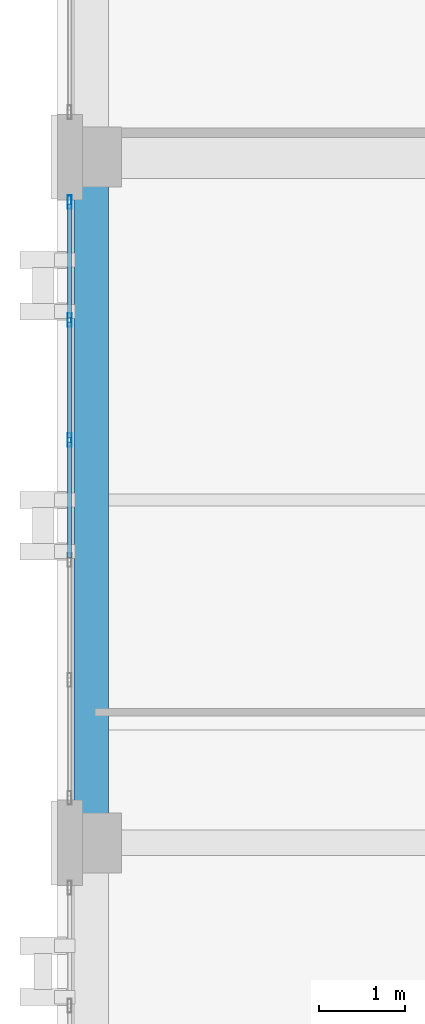
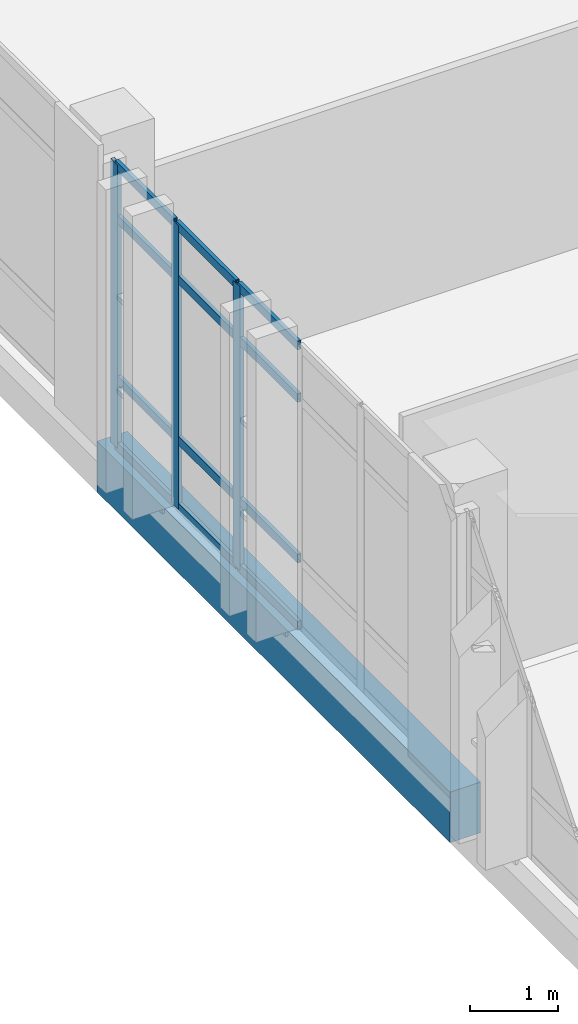
# One storey, part 66 of 165: 15 members, 1 beam, 1 element without a shape of its own.
"""IFC4 building model written with IfcOpenShell, lengths in metres."""

import ifcopenshell
import ifcopenshell.guid

model = None  # the IFC model being written
_history = None  # IfcOwnerHistory: only IFC2X3 demands one
_inside = {}  # id of a spatial element -> (the spatial element, [elements in it])
_under = {}  # id of a project, library or spatial element -> (it, [spatial elements below it])
_declared = {}  # id of a project -> (the project, [libraries it declares])
_typed = {}  # id of a type object -> (the type object, [elements of that type])
_made_of = {}  # id of a material, layer set ... -> (it, [elements and type objects made of it])


def new_model(schema):
    """Start an empty IFC model of exactly this schema.

    Asked for "IFC4X3", IfcOpenShell would pick the latest addendum, in which some entities
    have other attributes; the version numbers below select the first issue.
    IFC2X3 requires an IfcOwnerHistory on every rooted entity: one is made here for all.
    """
    global model, _history
    if schema == "IFC4X3":
        model = ifcopenshell.file(schema_version=(4, 3, 0, 0))
    else:
        model = ifcopenshell.file(schema=schema)
    _inside.clear()
    _under.clear()
    _declared.clear()
    _typed.clear()
    _made_of.clear()
    _history = None
    if model.schema == "IFC2X3":
        org = make("IfcOrganization", Name="unknown")
        user = make(
            "IfcPersonAndOrganization",
            ThePerson=make("IfcPerson", FamilyName="unknown"),
            TheOrganization=org,
        )
        app = make(
            "IfcApplication",
            ApplicationDeveloper=org,
            Version="unknown",
            ApplicationFullName="unknown",
            ApplicationIdentifier="unknown",
        )
        _history = make(
            "IfcOwnerHistory",
            OwningUser=user,
            OwningApplication=app,
            ChangeAction="ADDED",
            CreationDate=0,
        )
    return model


def make(cls, **values):
    """One entity of the class cls with the attributes given. An attribute that is None is left unset."""
    return model.create_entity(
        cls, **{name: value for name, value in values.items() if value is not None}
    )


def rooted(cls, **values):
    """An entity with a GlobalId (a new one), such as an element, a storey or a relation."""
    return make(cls, GlobalId=ifcopenshell.guid.new(), OwnerHistory=_history, **values)


def si_unit(unit_type, name, prefix=None):
    """IfcSIUnit, for example si_unit("LENGTHUNIT", "METRE", prefix="MILLI")."""
    return make("IfcSIUnit", UnitType=unit_type, Prefix=prefix, Name=name)


def assignment(units):
    """IfcUnitAssignment: the units of a project."""
    return None if units is None else make("IfcUnitAssignment", Units=units)


def point(xyz):
    """IfcCartesianPoint."""
    return None if xyz is None else make("IfcCartesianPoint", Coordinates=xyz)


def direction(xyz):
    """IfcDirection."""
    return None if xyz is None else make("IfcDirection", DirectionRatios=xyz)


def frame(location, z_axis=None, x_axis=None):
    """IfcAxis2Placement3D, a coordinate frame: its origin and axes. An axis left out is left unset."""
    return make(
        "IfcAxis2Placement3D",
        Location=point(location),
        Axis=direction(z_axis),
        RefDirection=direction(x_axis),
    )


def frame_2d(location, x_axis=None):
    """IfcAxis2Placement2D, a coordinate frame in the plane: its origin and x axis."""
    return make(
        "IfcAxis2Placement2D", Location=point(location), RefDirection=direction(x_axis)
    )


def origin():
    """The frame at (0, 0, 0) with its axes left unset."""
    return frame((0.0, 0.0, 0.0))


def origin_2d():
    """The frame at (0, 0) in the plane with its x axis left unset."""
    return frame_2d((0.0, 0.0))


def place(relative_to, where):
    """IfcLocalPlacement: puts the frame where relative to a parent placement (None: the world)."""
    return make(
        "IfcLocalPlacement", PlacementRelTo=relative_to, RelativePlacement=where
    )


def context(
    kind, dimensions, precision=None, world=None, true_north=None, identifier=None
):
    """IfcGeometricRepresentationContext, for example the 3D "Model" context."""
    return make(
        "IfcGeometricRepresentationContext",
        ContextIdentifier=identifier,
        ContextType=kind,
        CoordinateSpaceDimension=dimensions,
        Precision=precision,
        WorldCoordinateSystem=world,
        TrueNorth=true_north,
    )


def subcontext(parent, identifier, kind, view, scale=None):
    """IfcGeometricRepresentationSubContext, for example "Body" below "Model"."""
    return make(
        "IfcGeometricRepresentationSubContext",
        ContextIdentifier=identifier,
        ContextType=kind,
        ParentContext=parent,
        TargetScale=scale,
        TargetView=view,
    )


def project(units=None, contexts=None):
    """IfcProject with its units and contexts."""
    return rooted(
        "IfcProject",
        Name="project",
        RepresentationContexts=contexts,
        UnitsInContext=assignment(units),
    )


def spatial(cls, under=None, at=None, **own):
    """A site, building, storey or space (cls), placed at a placement, below another one or the project."""
    s = rooted(cls, ObjectPlacement=at, **own)
    if under is not None:
        _under.setdefault(under.id(), (under, []))[1].append(s)
    return s


def profile(cls, at=None, kind="AREA", **sizes):
    """A parametric profile (cls). Its sizes go by their IFC names, for example OverallWidth=200.0."""
    return make(cls, ProfileType=kind, Position=at, **sizes)


def rectangle(**sizes):
    """IfcRectangleProfileDef."""
    return profile("IfcRectangleProfileDef", **sizes)


def hollow_rectangle(**sizes):
    """IfcRectangleHollowProfileDef."""
    return profile("IfcRectangleHollowProfileDef", **sizes)


def extrude(swept, where, along, depth):
    """IfcExtrudedAreaSolid: the profile swept, set in the frame where, extruded along a direction by depth."""
    return make(
        "IfcExtrudedAreaSolid",
        SweptArea=swept,
        Position=where,
        ExtrudedDirection=direction(along),
        Depth=depth,
    )


def shape(context_of_items, identifier, shape_type, items):
    """IfcShapeRepresentation: the items that make up one representation, for example the "Body"."""
    return make(
        "IfcShapeRepresentation",
        ContextOfItems=context_of_items,
        RepresentationIdentifier=identifier,
        RepresentationType=shape_type,
        Items=items,
    )


def material(Name=None, Category=None):
    """IfcMaterial."""
    return make("IfcMaterial", Name=Name, Category=Category)


def layer(
    of_material, thickness, ventilated=None, Name=None, Category=None, Priority=None
):
    """IfcMaterialLayer: one layer of a wall or slab, of a material (None: an air gap)."""
    return make(
        "IfcMaterialLayer",
        Material=of_material,
        LayerThickness=thickness,
        IsVentilated=ventilated,
        Name=Name,
        Category=Category,
        Priority=Priority,
    )


def layer_set(layers, Name=None):
    """IfcMaterialLayerSet."""
    return make("IfcMaterialLayerSet", MaterialLayers=layers, LayerSetName=Name)


def material_profile(
    of_material, cross_section, Name=None, Category=None, Priority=None
):
    """IfcMaterialProfile: a cross section and its material."""
    return make(
        "IfcMaterialProfile",
        Name=Name,
        Material=of_material,
        Profile=cross_section,
        Priority=Priority,
        Category=Category,
    )


def profile_set(profiles, Name=None, composite=None):
    """IfcMaterialProfileSet."""
    return make(
        "IfcMaterialProfileSet",
        Name=Name,
        MaterialProfiles=profiles,
        CompositeProfile=composite,
    )


def made_of(thing, what):
    """Note that an element or type object is made of a material, layer set ...; save() writes the relation."""
    if what is not None:
        _made_of.setdefault(what.id(), (what, []))[1].append(thing)
    return thing


def type_object(cls, material=None, **own):
    """A type object (cls), such as IfcWallType, which elements share."""
    return made_of(rooted(cls, **own), material)


def element(
    cls,
    number,
    at=None,
    inside=None,
    cuts=None,
    type_object=None,
    material=None,
    context=None,
    identifier="Body",
    shape_type=None,
    held_by="IfcProductDefinitionShape",
    body=None,
    shapes=None,
    **own,
):
    """One element of the class cls, such as IfcWall. Its Tag is "e" and its number.

    at: its placement. inside: the storey or other place that contains it. cuts: it is an
    opening in that element (IfcRelVoidsElement). A single representation is given by context,
    identifier, shape_type and body (its items); several are given by shapes. held_by: the class
    of the entity that holds the representations. save() writes the other relations.
    """
    e = rooted(cls, Tag="e%d" % number, ObjectPlacement=at, **own)
    if body is not None:
        shapes = [shape(context, identifier, shape_type, body)]
    if shapes is not None:
        e.Representation = make(held_by, Representations=shapes)
    if inside is not None:
        _inside.setdefault(inside.id(), (inside, []))[1].append(e)
    if cuts is not None:
        rooted(
            "IfcRelVoidsElement", RelatingBuildingElement=cuts, RelatedOpeningElement=e
        )
    if type_object is not None:
        _typed.setdefault(type_object.id(), (type_object, []))[1].append(e)
    return made_of(e, material)


def aggregate(whole, parts):
    """IfcRelAggregates: a whole, such as a stair, and the parts it consists of."""
    return rooted("IfcRelAggregates", RelatingObject=whole, RelatedObjects=parts)


def save(model, path):
    """Write the relations noted so far, then the file.

    IfcRelAggregates (storeys below a building ...), IfcRelContainedInSpatialStructure (elements
    in a storey), IfcRelDefinesByType, IfcRelAssociatesMaterial and IfcRelDeclares: one each for
    every whole, place, type object, material and project.
    """
    for whole, parts in _under.values():
        aggregate(whole, parts)
    for where, things in _inside.values():
        rooted(
            "IfcRelContainedInSpatialStructure",
            RelatedElements=things,
            RelatingStructure=where,
        )
    for kind, things in _typed.values():
        rooted("IfcRelDefinesByType", RelatedObjects=things, RelatingType=kind)
    for what, things in _made_of.values():
        rooted("IfcRelAssociatesMaterial", RelatedObjects=things, RelatingMaterial=what)
    for by, libraries in _declared.values():
        rooted("IfcRelDeclares", RelatingContext=by, RelatedDefinitions=libraries)
    model.write(path)


model = new_model("IFC4")

# Units and contexts
model_context = context("Model", 3, precision=1e-05, world=origin(), true_north=direction((0.0, 1.0)))
body_context = subcontext(model_context, "Body", "Model", "MODEL_VIEW")
ifc_project = project(units=[si_unit("LENGTHUNIT", "METRE"), si_unit("AREAUNIT", "SQUARE_METRE"), si_unit("VOLUMEUNIT", "CUBIC_METRE"), si_unit("PLANEANGLEUNIT", "RADIAN"), si_unit("MASSUNIT", "GRAM", prefix="KILO")], contexts=[model_context])

# Site, building, storey
site_placement = place(None, origin())
site = spatial("IfcSite", under=ifc_project, at=site_placement, CompositionType="ELEMENT")
building_placement = place(site_placement, origin())
building = spatial("IfcBuilding", under=site, at=building_placement, Name="Qalavern Law Courts", CompositionType="ELEMENT")
storey_placement = place(building_placement, frame((0.0, 0.0, 14.39990234375)))
storey = spatial("IfcBuildingStorey", under=building, at=storey_placement, Name="L03", CompositionType="ELEMENT", Elevation=14.39990234375)

# Curtain wall, members
ifc_material_1 = material(Name="Anodised aluminium and insulated glazing", Category="aluminium")
ifc_layer = layer(ifc_material_1, 0.172119140625)
ifc_layer_set = layer_set([ifc_layer], Name="Anodised aluminium and insulated glazing")
curtain_wall_type = type_object("IfcCurtainWallType", Name="ENV-CW-COURT", PredefinedType="USERDEFINED", material=ifc_layer_set)
curtain_wall_placement = place(storey_placement, origin())
curtain_wall = element("IfcCurtainWall", 1, at=curtain_wall_placement, inside=storey, type_object=curtain_wall_type, Name="V3 unitised curtain wall L03 west 4", ObjectType="UNITISED CURTAIN WALL", PredefinedType="USERDEFINED")
ifc_material_2 = material(Name="Anodised aluminium", Category="aluminium")
ifc_material_profile_1 = material_profile(ifc_material_2, hollow_rectangle(XDim=0.048095703125, YDim=0.159912109375, WallThickness=0.00390625, at=origin_2d()), Name="ALU MULLION 48x160")
ifc_profile_set_1 = profile_set([ifc_material_profile_1], Name="Anodised aluminium")
member_type_1 = type_object("IfcMemberType", Name="ENV-CWM-48x160", PredefinedType="MULLION", material=ifc_profile_set_1)
member_1_placement = place(storey_placement, frame((2.1474609375, 72.8759765625, 0.0), z_axis=(0.0, 0.0, 1.0), x_axis=(1.0, 0.0, 0.0)))
member_1 = element("IfcMember", 2, at=member_1_placement, type_object=member_type_1, Name="CW-03 mullion 1", PredefinedType="MULLION", context=body_context, shape_type="SweptSolid", body=[
    extrude(hollow_rectangle(XDim=0.048095703125, YDim=0.159912109375, WallThickness=0.00390625, at=origin_2d()), origin(), (0.0, 0.0, 1.0), 3.920166015625),
])
member_2_placement = place(storey_placement, frame((2.1474609375, 71.5, 0.0), z_axis=(0.0, 0.0, 1.0), x_axis=(1.0, 0.0, 0.0)))
member_2 = element("IfcMember", 3, at=member_2_placement, type_object=member_type_1, Name="CW-03 mullion 2", PredefinedType="MULLION", context=body_context, shape_type="SweptSolid", body=[
    extrude(hollow_rectangle(XDim=0.048095703125, YDim=0.159912109375, WallThickness=0.00390625, at=origin_2d()), origin(), (0.0, 0.0, 1.0), 3.920166015625),
])
member_3_placement = place(storey_placement, frame((2.1474609375, 70.10009765625, 0.0), z_axis=(0.0, 0.0, 1.0), x_axis=(1.0, 0.0, 0.0)))
member_3 = element("IfcMember", 4, at=member_3_placement, type_object=member_type_1, Name="CW-03 mullion 3", PredefinedType="MULLION", context=body_context, shape_type="SweptSolid", body=[
    extrude(hollow_rectangle(XDim=0.048095703125, YDim=0.159912109375, WallThickness=0.00390625, at=origin_2d()), origin(), (0.0, 0.0, 1.0), 3.920166015625),
])
ifc_material_profile_2 = material_profile(ifc_material_2, hollow_rectangle(XDim=0.048095703125, YDim=0.1201171875, WallThickness=0.00390625, at=origin_2d()), Name="ALU TRANSOM 48x120")
ifc_profile_set_2 = profile_set([ifc_material_profile_2], Name="Anodised aluminium")
member_type_2 = type_object("IfcMemberType", Name="ENV-CWT-48x120", PredefinedType="USERDEFINED", material=ifc_profile_set_2)
member_4_placement = place(storey_placement, frame((2.1474609375, 72.85205078125, 0.024169921875), z_axis=(0.0, -1.0, 0.0), x_axis=(1.0, 0.0, 0.0)))
member_4 = element("IfcMember", 5, at=member_4_placement, type_object=member_type_2, Name="CW-03 transom 1.1", ObjectType="TRANSOM", PredefinedType="USERDEFINED", context=body_context, shape_type="SweptSolid", body=[
    extrude(hollow_rectangle(XDim=0.048095703125, YDim=0.1201171875, WallThickness=0.00390625, at=origin_2d()), origin(), (0.0, 0.0, 1.0), 1.328125),
])
member_5_placement = place(storey_placement, frame((2.1474609375, 72.85205078125, 0.9501953125), z_axis=(0.0, -1.0, 0.0), x_axis=(1.0, 0.0, 0.0)))
member_5 = element("IfcMember", 6, at=member_5_placement, type_object=member_type_2, Name="CW-03 transom 1.2", ObjectType="TRANSOM", PredefinedType="USERDEFINED", context=body_context, shape_type="SweptSolid", body=[
    extrude(hollow_rectangle(XDim=0.048095703125, YDim=0.1201171875, WallThickness=0.00390625, at=origin_2d()), origin(), (0.0, 0.0, 1.0), 1.328125),
])
member_6_placement = place(storey_placement, frame((2.1474609375, 72.85205078125, 3.170166015625), z_axis=(0.0, -1.0, 0.0), x_axis=(1.0, 0.0, 0.0)))
member_6 = element("IfcMember", 7, at=member_6_placement, type_object=member_type_2, Name="CW-03 transom 1.3", ObjectType="TRANSOM", PredefinedType="USERDEFINED", context=body_context, shape_type="SweptSolid", body=[
    extrude(hollow_rectangle(XDim=0.048095703125, YDim=0.1201171875, WallThickness=0.00390625, at=origin_2d()), origin(), (0.0, 0.0, 1.0), 1.328125),
])
member_7_placement = place(storey_placement, frame((2.1474609375, 72.85205078125, 3.89599609375), z_axis=(0.0, -1.0, 0.0), x_axis=(1.0, 0.0, 0.0)))
member_7 = element("IfcMember", 8, at=member_7_placement, type_object=member_type_2, Name="CW-03 transom 1.4", ObjectType="TRANSOM", PredefinedType="USERDEFINED", context=body_context, shape_type="SweptSolid", body=[
    extrude(hollow_rectangle(XDim=0.048095703125, YDim=0.1201171875, WallThickness=0.00390625, at=origin_2d()), origin(), (0.0, 0.0, 1.0), 1.328125),
])
member_8_placement = place(storey_placement, frame((2.1474609375, 71.47607421875, 0.024169921875), z_axis=(0.0, -1.0, 0.0), x_axis=(1.0, 0.0, 0.0)))
member_8 = element("IfcMember", 9, at=member_8_placement, type_object=member_type_2, Name="CW-03 transom 2.1", ObjectType="TRANSOM", PredefinedType="USERDEFINED", context=body_context, shape_type="SweptSolid", body=[
    extrude(hollow_rectangle(XDim=0.048095703125, YDim=0.1201171875, WallThickness=0.00390625, at=origin_2d()), origin(), (0.0, 0.0, 1.0), 1.35205078125),
])
member_9_placement = place(storey_placement, frame((2.1474609375, 71.47607421875, 0.9501953125), z_axis=(0.0, -1.0, 0.0), x_axis=(1.0, 0.0, 0.0)))
member_9 = element("IfcMember", 10, at=member_9_placement, type_object=member_type_2, Name="CW-03 transom 2.2", ObjectType="TRANSOM", PredefinedType="USERDEFINED", context=body_context, shape_type="SweptSolid", body=[
    extrude(hollow_rectangle(XDim=0.048095703125, YDim=0.1201171875, WallThickness=0.00390625, at=origin_2d()), origin(), (0.0, 0.0, 1.0), 1.35205078125),
])
member_10_placement = place(storey_placement, frame((2.1474609375, 71.47607421875, 3.170166015625), z_axis=(0.0, -1.0, 0.0), x_axis=(1.0, 0.0, 0.0)))
member_10 = element("IfcMember", 11, at=member_10_placement, type_object=member_type_2, Name="CW-03 transom 2.3", ObjectType="TRANSOM", PredefinedType="USERDEFINED", context=body_context, shape_type="SweptSolid", body=[
    extrude(hollow_rectangle(XDim=0.048095703125, YDim=0.1201171875, WallThickness=0.00390625, at=origin_2d()), origin(), (0.0, 0.0, 1.0), 1.35205078125),
])
member_11_placement = place(storey_placement, frame((2.1474609375, 71.47607421875, 3.89599609375), z_axis=(0.0, -1.0, 0.0), x_axis=(1.0, 0.0, 0.0)))
member_11 = element("IfcMember", 12, at=member_11_placement, type_object=member_type_2, Name="CW-03 transom 2.4", ObjectType="TRANSOM", PredefinedType="USERDEFINED", context=body_context, shape_type="SweptSolid", body=[
    extrude(hollow_rectangle(XDim=0.048095703125, YDim=0.1201171875, WallThickness=0.00390625, at=origin_2d()), origin(), (0.0, 0.0, 1.0), 1.35205078125),
])
member_12_placement = place(storey_placement, frame((2.1474609375, 70.075927734375, 0.024169921875), z_axis=(0.0, -1.0, 0.0), x_axis=(1.0, 0.0, 0.0)))
member_12 = element("IfcMember", 13, at=member_12_placement, type_object=member_type_2, Name="CW-03 transom 3.1", ObjectType="TRANSOM", PredefinedType="USERDEFINED", context=body_context, shape_type="SweptSolid", body=[
    extrude(hollow_rectangle(XDim=0.048095703125, YDim=0.1201171875, WallThickness=0.00390625, at=origin_2d()), origin(), (0.0, 0.0, 1.0), 1.351806640625),
])
member_13_placement = place(storey_placement, frame((2.1474609375, 70.075927734375, 0.9501953125), z_axis=(0.0, -1.0, 0.0), x_axis=(1.0, 0.0, 0.0)))
member_13 = element("IfcMember", 14, at=member_13_placement, type_object=member_type_2, Name="CW-03 transom 3.2", ObjectType="TRANSOM", PredefinedType="USERDEFINED", context=body_context, shape_type="SweptSolid", body=[
    extrude(hollow_rectangle(XDim=0.048095703125, YDim=0.1201171875, WallThickness=0.00390625, at=origin_2d()), origin(), (0.0, 0.0, 1.0), 1.351806640625),
])
member_14_placement = place(storey_placement, frame((2.1474609375, 70.075927734375, 3.170166015625), z_axis=(0.0, -1.0, 0.0), x_axis=(1.0, 0.0, 0.0)))
member_14 = element("IfcMember", 15, at=member_14_placement, type_object=member_type_2, Name="CW-03 transom 3.3", ObjectType="TRANSOM", PredefinedType="USERDEFINED", context=body_context, shape_type="SweptSolid", body=[
    extrude(hollow_rectangle(XDim=0.048095703125, YDim=0.1201171875, WallThickness=0.00390625, at=origin_2d()), origin(), (0.0, 0.0, 1.0), 1.351806640625),
])
member_15_placement = place(storey_placement, frame((2.1474609375, 70.075927734375, 3.89599609375), z_axis=(0.0, -1.0, 0.0), x_axis=(1.0, 0.0, 0.0)))
member_15 = element("IfcMember", 16, at=member_15_placement, type_object=member_type_2, Name="CW-03 transom 3.4", ObjectType="TRANSOM", PredefinedType="USERDEFINED", context=body_context, shape_type="SweptSolid", body=[
    extrude(hollow_rectangle(XDim=0.048095703125, YDim=0.1201171875, WallThickness=0.00390625, at=origin_2d()), origin(), (0.0, 0.0, 1.0), 1.351806640625),
])
aggregate(curtain_wall, [member_1, member_2, member_3, member_4, member_5, member_6, member_7, member_8, member_9, member_10, member_11, member_12, member_13, member_14, member_15])

# Beam
ifc_material_3 = material(Name="Concrete C40/50", Category="concrete")
ifc_material_profile_3 = material_profile(ifc_material_3, rectangle(XDim=0.39990234375, YDim=0.699951171875, at=origin_2d()), Name="RC 400x700")
ifc_profile_set_3 = profile_set([ifc_material_profile_3], Name="Concrete C40/50")
beam_type = type_object("IfcBeamType", Name="STR-SP-RC400x700", PredefinedType="SPANDREL", material=ifc_profile_set_3)
beam_placement = place(storey_placement, frame((2.39990234375, 65.39990234375, -0.635009765625), z_axis=(0.0, 1.0, 0.0), x_axis=(-1.0, 0.0, 0.0)))
element("IfcBeam", 17, at=beam_placement, inside=storey, type_object=beam_type, Name="V3 Y-beam 1-4 L03", PredefinedType="SPANDREL", context=body_context, shape_type="SweptSolid", body=[
    extrude(rectangle(XDim=0.39990234375, YDim=0.699951171875, at=origin_2d()), origin(), (0.0, 0.0, 1.0), 8.0),
])

save(model, "model.ifc")
